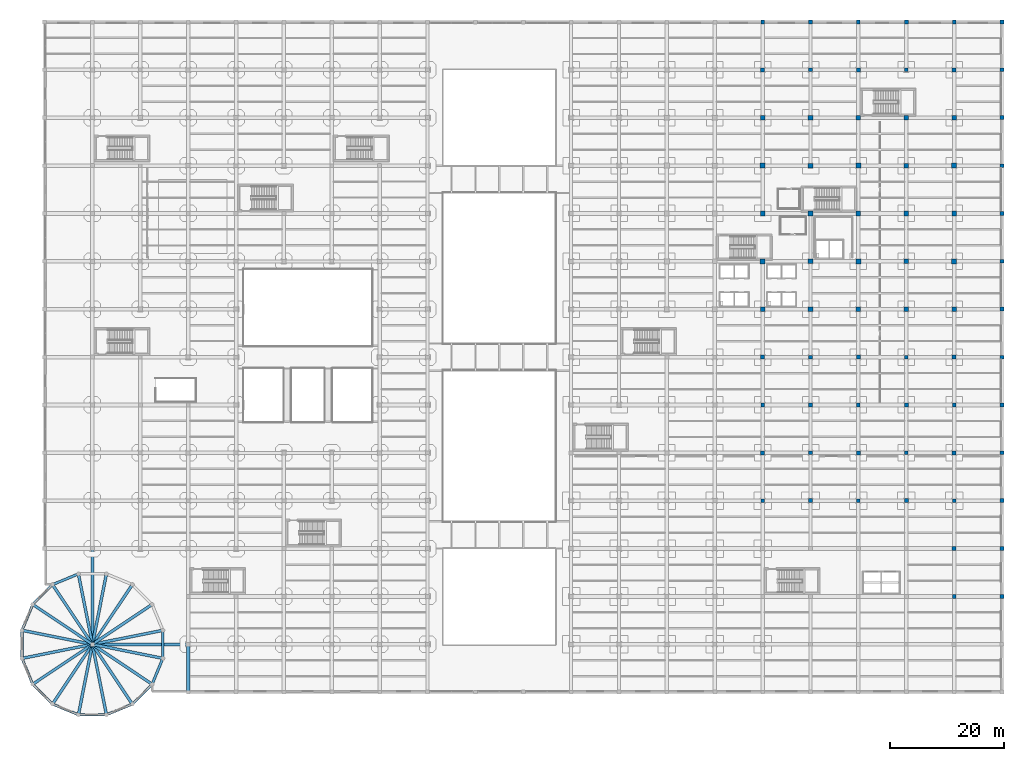
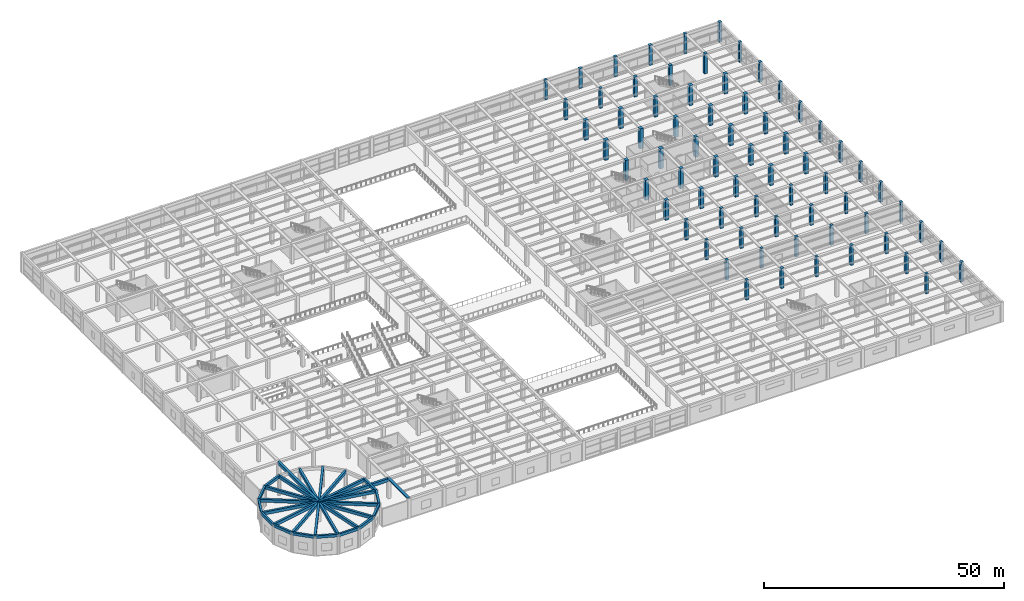
# One storey, part 2 of 65: 70 columns, 31 beams.
"""IFC4 building model written with IfcOpenShell, lengths in metres."""

from ifc_helpers import new_model, si_unit, direction, frame, origin, origin_2d, place, context, subcontext, project, spatial, rectangle, extrude, material, material_profile, profile_set, type_object, element, save


model = new_model("IFC4")

# Units and contexts
model_context = context("Model", 3, precision=1e-05, world=origin(), true_north=direction((0.0, 1.0)))
body_context = subcontext(model_context, "Body", "Model", "MODEL_VIEW")
ifc_project = project(units=[si_unit("LENGTHUNIT", "METRE"), si_unit("AREAUNIT", "SQUARE_METRE"), si_unit("VOLUMEUNIT", "CUBIC_METRE"), si_unit("PLANEANGLEUNIT", "RADIAN"), si_unit("MASSUNIT", "GRAM", prefix="KILO")], contexts=[model_context])

# Site, building, storey
site_placement = place(None, origin())
site = spatial("IfcSite", under=ifc_project, at=site_placement, CompositionType="ELEMENT")
building_placement = place(site_placement, origin())
building = spatial("IfcBuilding", under=site, at=building_placement, Name="Almacenes y Pasaje Nevantli", CompositionType="ELEMENT")
storey_placement = place(building_placement, frame((0.0, 0.0, 16.800048828125)))
storey = spatial("IfcBuildingStorey", under=building, at=storey_placement, Name="L04", CompositionType="ELEMENT", Elevation=16.800048828125)

# Columns
ifc_material_1 = material(Name="Concrete C45/55", Category="concrete")
ifc_material_profile_1 = material_profile(ifc_material_1, rectangle(XDim=0.64990234375, YDim=0.64990234375, at=origin_2d()), Name="RC-COL-650x650")
ifc_profile_set_1 = profile_set([ifc_material_profile_1], Name="Concrete C45/55")
column_type_1 = type_object("IfcColumnType", Name="COL-RC-650", PredefinedType="COLUMN", material=ifc_profile_set_1)
for number, where, z_axis, x_axis, name in (
    (1, (126.0, 33.60009765625, 0.0), (0.0, 0.0, 1.0), (1.0, 0.0, 0.0), "L04 Reinforced Concrete Column CL-07 #1760"),
    (2, (126.0, 50.39990234375, 0.0), (0.0, 0.0, 1.0), (1.0, 0.0, 0.0), "L04 Reinforced Concrete Column CL-07 #1762"),
    (3, (126.0, 117.60009765625, 0.0), (0.0, 0.0, 1.0), (1.0, 0.0, 0.0), "L04 Reinforced Concrete Column CL-07 #1770"),
    (4, (134.39990234375, 42.0, 0.0), (0.0, 0.0, 1.0), (1.0, 0.0, 0.0), "L04 Reinforced Concrete Column CL-07 #1776"),
    (5, (134.39990234375, 58.800048828125, 0.0), (0.0, 0.0, 1.0), (1.0, 0.0, 0.0), "L04 Reinforced Concrete Column CL-07 #1778"),
    (6, (134.39990234375, 109.199951171875, 0.0), (0.0, 0.0, 1.0), (1.0, 0.0, 0.0), "L04 Reinforced Concrete Column CL-07 #1784"),
    (7, (142.800048828125, 33.60009765625, 0.0), (0.0, 0.0, 1.0), (1.0, 0.0, 0.0), "L04 Reinforced Concrete Column CL-07 #1790"),
    (8, (142.800048828125, 50.39990234375, 0.0), (0.0, 0.0, 1.0), (1.0, 0.0, 0.0), "L04 Reinforced Concrete Column CL-07 #1792"),
    (9, (142.800048828125, 117.60009765625, 0.0), (0.0, 0.0, 1.0), (1.0, 0.0, 0.0), "L04 Reinforced Concrete Column CL-07 #1800"),
    (10, (151.199951171875, 42.0, 0.0), (0.0, 0.0, 1.0), (1.0, 0.0, 0.0), "L04 Reinforced Concrete Column CL-07 #1806"),
    (11, (151.199951171875, 58.800048828125, 0.0), (0.0, 0.0, 1.0), (1.0, 0.0, 0.0), "L04 Reinforced Concrete Column CL-07 #1808"),
    (12, (151.199951171875, 109.199951171875, 0.0), (0.0, 0.0, 1.0), (1.0, 0.0, 0.0), "L04 Reinforced Concrete Column CL-07 #1814"),
    (13, (159.60009765625, 16.800048828125, 0.0), (0.0, 0.0, 1.0), (1.0, 0.0, 0.0), "L04 Reinforced Concrete Column CL-07 #1818"),
    (14, (159.60009765625, 33.60009765625, 0.0), (0.0, 0.0, 1.0), (1.0, 0.0, 0.0), "L04 Reinforced Concrete Column CL-07 #1820"),
    (15, (159.60009765625, 50.39990234375, 0.0), (0.0, 0.0, 1.0), (1.0, 0.0, 0.0), "L04 Reinforced Concrete Column CL-07 #1822"),
    (16, (159.60009765625, 117.60009765625, 0.0), (0.0, 0.0, 1.0), (1.0, 0.0, 0.0), "L04 Reinforced Concrete Column CL-07 #1830"),
    (17, (168.0, 25.199951171875, 0.0), (0.0, 0.0, 1.0), (1.0, 0.0, 0.0), "L04 Reinforced Concrete Column CL-07 #1834"),
    (18, (168.0, 42.0, 0.0), (0.0, 0.0, 1.0), (1.0, 0.0, 0.0), "L04 Reinforced Concrete Column CL-07 #1836"),
    (19, (168.0, 58.800048828125, 0.0), (0.0, 0.0, 1.0), (1.0, 0.0, 0.0), "L04 Reinforced Concrete Column CL-07 #1838"),
    (20, (168.0, 75.60009765625, 0.0), (0.0, 0.0, 1.0), (1.0, 0.0, 0.0), "L04 Reinforced Concrete Column CL-07 #1840"),
    (21, (168.0, 92.39990234375, 0.0), (0.0, 0.0, 1.0), (1.0, 0.0, 0.0), "L04 Reinforced Concrete Column CL-07 #1842"),
    (22, (168.0, 109.199951171875, 0.0), (0.0, 0.0, 1.0), (1.0, 0.0, 0.0), "L04 Reinforced Concrete Column CL-07 #1844"),
):
    element("IfcColumn", number, at=place(storey_placement, frame(where, z_axis=z_axis, x_axis=x_axis)), inside=storey, type_object=column_type_1, Name=name, PredefinedType="COLUMN", context=body_context, shape_type="SweptSolid", body=[
        extrude(rectangle(XDim=0.64990234375, YDim=0.64990234375, at=origin_2d()), origin(), (0.0, 0.0, 1.0), 5.099853515625),
    ])
ifc_material_2 = material(Name="Concrete C45/55", Category="concrete")
ifc_material_profile_2 = material_profile(ifc_material_2, rectangle(XDim=0.699951171875, YDim=0.699951171875, at=origin_2d()), Name="RC-COL-700x700")
ifc_profile_set_2 = profile_set([ifc_material_profile_2], Name="Concrete C45/55")
column_type_2 = type_object("IfcColumnType", Name="COL-RC-700", PredefinedType="COLUMN", material=ifc_profile_set_2)
for number, where, z_axis, x_axis, name in (
    (23, (126.0, 42.0, 0.0), (0.0, 0.0, 1.0), (1.0, 0.0, 0.0), "L04 Reinforced Concrete Column CL-06 #1761"),
    (24, (126.0, 58.800048828125, 0.0), (0.0, 0.0, 1.0), (1.0, 0.0, 0.0), "L04 Reinforced Concrete Column CL-06 #1763"),
    (25, (126.0, 109.199951171875, 0.0), (0.0, 0.0, 1.0), (1.0, 0.0, 0.0), "L04 Reinforced Concrete Column CL-06 #1769"),
    (26, (134.39990234375, 33.60009765625, 0.0), (0.0, 0.0, 1.0), (1.0, 0.0, 0.0), "L04 Reinforced Concrete Column CL-06 #1775"),
    (27, (134.39990234375, 50.39990234375, 0.0), (0.0, 0.0, 1.0), (1.0, 0.0, 0.0), "L04 Reinforced Concrete Column CL-06 #1777"),
    (28, (134.39990234375, 117.60009765625, 0.0), (0.0, 0.0, 1.0), (1.0, 0.0, 0.0), "L04 Reinforced Concrete Column CL-06 #1785"),
    (29, (142.800048828125, 42.0, 0.0), (0.0, 0.0, 1.0), (1.0, 0.0, 0.0), "L04 Reinforced Concrete Column CL-06 #1791"),
    (30, (142.800048828125, 58.800048828125, 0.0), (0.0, 0.0, 1.0), (1.0, 0.0, 0.0), "L04 Reinforced Concrete Column CL-06 #1793"),
    (31, (142.800048828125, 109.199951171875, 0.0), (0.0, 0.0, 1.0), (1.0, 0.0, 0.0), "L04 Reinforced Concrete Column CL-06 #1799"),
    (32, (151.199951171875, 33.60009765625, 0.0), (0.0, 0.0, 1.0), (1.0, 0.0, 0.0), "L04 Reinforced Concrete Column CL-06 #1805"),
    (33, (151.199951171875, 50.39990234375, 0.0), (0.0, 0.0, 1.0), (1.0, 0.0, 0.0), "L04 Reinforced Concrete Column CL-06 #1807"),
    (34, (151.199951171875, 117.60009765625, 0.0), (0.0, 0.0, 1.0), (1.0, 0.0, 0.0), "L04 Reinforced Concrete Column CL-06 #1815"),
    (35, (159.60009765625, 25.199951171875, 0.0), (0.0, 0.0, 1.0), (1.0, 0.0, 0.0), "L04 Reinforced Concrete Column CL-06 #1819"),
    (36, (159.60009765625, 42.0, 0.0), (0.0, 0.0, 1.0), (1.0, 0.0, 0.0), "L04 Reinforced Concrete Column CL-06 #1821"),
    (37, (159.60009765625, 58.800048828125, 0.0), (0.0, 0.0, 1.0), (1.0, 0.0, 0.0), "L04 Reinforced Concrete Column CL-06 #1823"),
    (38, (159.60009765625, 109.199951171875, 0.0), (0.0, 0.0, 1.0), (1.0, 0.0, 0.0), "L04 Reinforced Concrete Column CL-06 #1829"),
    (39, (168.0, 16.800048828125, 0.0), (0.0, 0.0, 1.0), (1.0, 0.0, 0.0), "L04 Reinforced Concrete Column CL-06 #1833"),
    (40, (168.0, 33.60009765625, 0.0), (0.0, 0.0, 1.0), (1.0, 0.0, 0.0), "L04 Reinforced Concrete Column CL-06 #1835"),
    (41, (168.0, 50.39990234375, 0.0), (0.0, 0.0, 1.0), (1.0, 0.0, 0.0), "L04 Reinforced Concrete Column CL-06 #1837"),
    (42, (168.0, 67.199951171875, 0.0), (0.0, 0.0, 1.0), (1.0, 0.0, 0.0), "L04 Reinforced Concrete Column CL-06 #1839"),
    (43, (168.0, 84.0, 0.0), (0.0, 0.0, 1.0), (1.0, 0.0, 0.0), "L04 Reinforced Concrete Column CL-06 #1841"),
    (44, (168.0, 100.800048828125, 0.0), (0.0, 0.0, 1.0), (1.0, 0.0, 0.0), "L04 Reinforced Concrete Column CL-06 #1843"),
    (45, (168.0, 117.60009765625, 0.0), (0.0, 0.0, 1.0), (1.0, 0.0, 0.0), "L04 Reinforced Concrete Column CL-06 #1845"),
):
    element("IfcColumn", number, at=place(storey_placement, frame(where, z_axis=z_axis, x_axis=x_axis)), inside=storey, type_object=column_type_2, Name=name, PredefinedType="COLUMN", context=body_context, shape_type="SweptSolid", body=[
        extrude(rectangle(XDim=0.699951171875, YDim=0.699951171875, at=origin_2d()), origin(), (0.0, 0.0, 1.0), 5.099853515625),
    ])
ifc_material_3 = material(Name="Concrete C45/55", Category="concrete")
ifc_material_profile_3 = material_profile(ifc_material_3, rectangle(XDim=0.800048828125, YDim=0.800048828125, at=origin_2d()), Name="RC-COL-800x800")
ifc_profile_set_3 = profile_set([ifc_material_profile_3], Name="Concrete C45/55")
column_type_3 = type_object("IfcColumnType", Name="COL-RC-800", PredefinedType="COLUMN", material=ifc_profile_set_3)
for number, where, z_axis, x_axis, name in (
    (46, (126.0, 67.199951171875, 0.0), (0.0, 0.0, 1.0), (1.0, 0.0, 0.0), "L04 Reinforced Concrete Column CL-04 #1764"),
    (47, (126.0, 84.0, 0.0), (0.0, 0.0, 1.0), (1.0, 0.0, 0.0), "L04 Reinforced Concrete Column CL-04 #1766"),
    (48, (126.0, 100.800048828125, 0.0), (0.0, 0.0, 1.0), (1.0, 0.0, 0.0), "L04 Reinforced Concrete Column CL-04 #1768"),
    (49, (134.39990234375, 75.60009765625, 0.0), (0.0, 0.0, 1.0), (1.0, 0.0, 0.0), "L04 Reinforced Concrete Column CL-04 #1780"),
    (50, (134.39990234375, 92.39990234375, 0.0), (0.0, 0.0, 1.0), (1.0, 0.0, 0.0), "L04 Reinforced Concrete Column CL-04 #1782"),
    (51, (142.800048828125, 67.199951171875, 0.0), (0.0, 0.0, 1.0), (1.0, 0.0, 0.0), "L04 Reinforced Concrete Column CL-04 #1794"),
    (52, (142.800048828125, 84.0, 0.0), (0.0, 0.0, 1.0), (1.0, 0.0, 0.0), "L04 Reinforced Concrete Column CL-04 #1796"),
    (53, (142.800048828125, 100.800048828125, 0.0), (0.0, 0.0, 1.0), (1.0, 0.0, 0.0), "L04 Reinforced Concrete Column CL-04 #1798"),
    (54, (151.199951171875, 75.60009765625, 0.0), (0.0, 0.0, 1.0), (1.0, 0.0, 0.0), "L04 Reinforced Concrete Column CL-04 #1810"),
    (55, (151.199951171875, 92.39990234375, 0.0), (0.0, 0.0, 1.0), (1.0, 0.0, 0.0), "L04 Reinforced Concrete Column CL-04 #1812"),
    (56, (159.60009765625, 67.199951171875, 0.0), (0.0, 0.0, 1.0), (1.0, 0.0, 0.0), "L04 Reinforced Concrete Column CL-04 #1824"),
    (57, (159.60009765625, 84.0, 0.0), (0.0, 0.0, 1.0), (1.0, 0.0, 0.0), "L04 Reinforced Concrete Column CL-04 #1826"),
    (58, (159.60009765625, 100.800048828125, 0.0), (0.0, 0.0, 1.0), (1.0, 0.0, 0.0), "L04 Reinforced Concrete Column CL-04 #1828"),
):
    element("IfcColumn", number, at=place(storey_placement, frame(where, z_axis=z_axis, x_axis=x_axis)), inside=storey, type_object=column_type_3, Name=name, PredefinedType="COLUMN", context=body_context, shape_type="SweptSolid", body=[
        extrude(rectangle(XDim=0.800048828125, YDim=0.800048828125, at=origin_2d()), origin(), (0.0, 0.0, 1.0), 5.099853515625),
    ])
ifc_material_4 = material(Name="Concrete C45/55", Category="concrete")
ifc_material_profile_4 = material_profile(ifc_material_4, rectangle(XDim=0.85009765625, YDim=0.85009765625, at=origin_2d()), Name="RC-COL-850x850")
ifc_profile_set_4 = profile_set([ifc_material_profile_4], Name="Concrete C45/55")
column_type_4 = type_object("IfcColumnType", Name="COL-RC-850", PredefinedType="COLUMN", material=ifc_profile_set_4)
for number, where, z_axis, x_axis, name in (
    (59, (126.0, 75.60009765625, 0.0), (0.0, 0.0, 1.0), (1.0, 0.0, 0.0), "L04 Reinforced Concrete Column CL-03 #1765"),
    (60, (126.0, 92.39990234375, 0.0), (0.0, 0.0, 1.0), (1.0, 0.0, 0.0), "L04 Reinforced Concrete Column CL-03 #1767"),
    (61, (134.39990234375, 67.199951171875, 0.0), (0.0, 0.0, 1.0), (1.0, 0.0, 0.0), "L04 Reinforced Concrete Column CL-03 #1779"),
    (62, (134.39990234375, 84.0, 0.0), (0.0, 0.0, 1.0), (1.0, 0.0, 0.0), "L04 Reinforced Concrete Column CL-03 #1781"),
    (63, (134.39990234375, 100.800048828125, 0.0), (0.0, 0.0, 1.0), (1.0, 0.0, 0.0), "L04 Reinforced Concrete Column CL-03 #1783"),
    (64, (142.800048828125, 75.60009765625, 0.0), (0.0, 0.0, 1.0), (1.0, 0.0, 0.0), "L04 Reinforced Concrete Column CL-03 #1795"),
    (65, (142.800048828125, 92.39990234375, 0.0), (0.0, 0.0, 1.0), (1.0, 0.0, 0.0), "L04 Reinforced Concrete Column CL-03 #1797"),
    (66, (151.199951171875, 67.199951171875, 0.0), (0.0, 0.0, 1.0), (1.0, 0.0, 0.0), "L04 Reinforced Concrete Column CL-03 #1809"),
    (67, (151.199951171875, 84.0, 0.0), (0.0, 0.0, 1.0), (1.0, 0.0, 0.0), "L04 Reinforced Concrete Column CL-03 #1811"),
    (68, (151.199951171875, 100.800048828125, 0.0), (0.0, 0.0, 1.0), (1.0, 0.0, 0.0), "L04 Reinforced Concrete Column CL-03 #1813"),
    (69, (159.60009765625, 75.60009765625, 0.0), (0.0, 0.0, 1.0), (1.0, 0.0, 0.0), "L04 Reinforced Concrete Column CL-03 #1825"),
    (70, (159.60009765625, 92.39990234375, 0.0), (0.0, 0.0, 1.0), (1.0, 0.0, 0.0), "L04 Reinforced Concrete Column CL-03 #1827"),
):
    element("IfcColumn", number, at=place(storey_placement, frame(where, z_axis=z_axis, x_axis=x_axis)), inside=storey, type_object=column_type_4, Name=name, PredefinedType="COLUMN", context=body_context, shape_type="SweptSolid", body=[
        extrude(rectangle(XDim=0.85009765625, YDim=0.85009765625, at=origin_2d()), origin(), (0.0, 0.0, 1.0), 5.099853515625),
    ])

# Beams
ifc_material_5 = material(Name="Concrete C35/45", Category="concrete")
ifc_material_profile_5 = material_profile(ifc_material_5, rectangle(XDim=0.449951171875, YDim=0.699951171875, at=origin_2d()), Name="RC-BM-450x700")
ifc_profile_set_5 = profile_set([ifc_material_profile_5], Name="Concrete C35/45")
beam_type_1 = type_object("IfcBeamType", Name="BM-RC-450x700", PredefinedType="SPANDREL", material=ifc_profile_set_5)
for number, where, z_axis, x_axis, name in (
    (71, (5.94189453125, 20.7578125, 4.75), (-0.923880043688, -0.382682198272, 0.0), (0.382682198272, -0.923880043688, 0.0), "L04 Rotunda Ring Spandrel Beam #5"),
    (72, (1.39990234375, 18.87646484375, 4.75), (-0.707106781187, -0.707106781187, 0.0), (0.707106781187, -0.707106781187, 0.0), "L04 Rotunda Ring Spandrel Beam #6"),
    (73, (-2.076416015625, 15.400146484375, 4.75), (-0.38272458482, -0.923862485532, 0.0), (0.923862485532, -0.38272458482, 0.0), "L04 Rotunda Ring Spandrel Beam #7"),
    (74, (-3.9580078125, 10.858154296875, 4.75), (0.0, -1.0, 0.0), (1.0, 0.0, 0.0), "L04 Rotunda Ring Spandrel Beam #8"),
    (75, (-3.9580078125, 5.94189453125, 4.75), (0.38272458482, -0.923862485532, 0.0), (0.923862485532, 0.38272458482, 0.0), "L04 Rotunda Ring Spandrel Beam #9"),
    (76, (-2.076416015625, 1.39990234375, 4.75), (0.707106781187, -0.707106781187, 0.0), (0.707106781187, 0.707106781187, 0.0), "L04 Rotunda Ring Spandrel Beam #10"),
    (77, (1.39990234375, -2.076416015625, 4.75), (0.923862485532, -0.38272458482, 0.0), (0.38272458482, 0.923862485532, 0.0), "L04 Rotunda Ring Spandrel Beam #11"),
    (78, (5.94189453125, -3.9580078125, 4.75), (1.0, 0.0, 0.0), (0.0, 1.0, 0.0), "L04 Rotunda Ring Spandrel Beam #12"),
    (79, (10.858154296875, -3.9580078125, 4.75), (0.923862485532, 0.38272458482, 0.0), (-0.38272458482, 0.923862485532, 0.0), "L04 Rotunda Ring Spandrel Beam #13"),
    (80, (15.400146484375, -2.076416015625, 4.75), (0.707106781187, 0.707106781187, 0.0), (-0.707106781187, 0.707106781187, 0.0), "L04 Rotunda Ring Spandrel Beam #14"),
    (81, (18.87646484375, 1.39990234375, 4.75), (0.382682198272, 0.923880043688, 0.0), (-0.923880043688, 0.382682198272, 0.0), "L04 Rotunda Ring Spandrel Beam #15"),
    (82, (20.7578125, 5.94189453125, 4.75), (0.0, 1.0, 0.0), (-1.0, 0.0, 0.0), "L04 Rotunda Ring Spandrel Beam #16"),
):
    element("IfcBeam", number, at=place(storey_placement, frame(where, z_axis=z_axis, x_axis=x_axis)), inside=storey, type_object=beam_type_1, Name=name, PredefinedType="SPANDREL", context=body_context, shape_type="SweptSolid", body=[
        extrude(rectangle(XDim=0.449951171875, YDim=0.699951171875, at=origin_2d()), origin(), (0.0, 0.0, 1.0), 4.916259765625),
    ])
ifc_material_6 = material(Name="Concrete C35/45", Category="concrete")
ifc_material_profile_6 = material_profile(ifc_material_6, rectangle(XDim=0.5, YDim=0.75, at=origin_2d()), Name="RC-BM-500x750")
ifc_profile_set_6 = profile_set([ifc_material_profile_6], Name="Concrete C35/45")
beam_type_2 = type_object("IfcBeamType", Name="BM-RC-500x750", PredefinedType="BEAM", material=ifc_profile_set_6)
for number, where, z_axis, x_axis, name in (
    (83, (8.39990234375, 8.39990234375, 4.724853515625), (0.980783597961, 0.195098780036, 0.0), (-0.195098780036, 0.980783597961, 0.0), "L04 Rotunda Radial Girder #1"),
    (84, (8.39990234375, 8.39990234375, 4.724853515625), (0.831468553537, 0.55557181757, 0.0), (-0.55557181757, 0.831468553537, 0.0), "L04 Rotunda Radial Girder #2"),
    (85, (8.39990234375, 8.39990234375, 4.724853515625), (0.55557181757, 0.831468553537, 0.0), (-0.831468553537, 0.55557181757, 0.0), "L04 Rotunda Radial Girder #3"),
    (86, (8.39990234375, 8.39990234375, 4.724853515625), (0.195098780036, 0.980783597961, 0.0), (-0.980783597961, 0.195098780036, 0.0), "L04 Rotunda Radial Girder #4"),
    (87, (8.39990234375, 8.39990234375, 4.724853515625), (-0.195080141274, 0.980787305424, 0.0), (-0.980787305424, -0.195080141274, 0.0), "L04 Rotunda Radial Girder #5"),
):
    element("IfcBeam", number, at=place(storey_placement, frame(where, z_axis=z_axis, x_axis=x_axis)), inside=storey, type_object=beam_type_2, Name=name, PredefinedType="BEAM", context=body_context, shape_type="SweptSolid", body=[
        extrude(rectangle(XDim=0.5, YDim=0.75, at=origin_2d()), origin(), (0.0, 0.0, 1.0), 12.60009765625),
    ])
for number, where, z_axis, x_axis, name in (
    (88, (8.39990234375, 8.39990234375, 4.724853515625), (-0.55555842186, 0.831477504146, 0.0), (-0.831477504146, -0.55555842186, 0.0), "L04 Rotunda Radial Girder #6"),
    (89, (8.39990234375, 8.39990234375, 4.724853515625), (-0.831462572755, 0.555580768302, 0.0), (-0.555580768302, -0.831462572755, 0.0), "L04 Rotunda Radial Girder #7"),
):
    element("IfcBeam", number, at=place(storey_placement, frame(where, z_axis=z_axis, x_axis=x_axis)), inside=storey, type_object=beam_type_2, Name=name, PredefinedType="BEAM", context=body_context, shape_type="SweptSolid", body=[
        extrude(rectangle(XDim=0.5, YDim=0.75, at=origin_2d()), origin(), (0.0, 0.0, 1.0), 12.599853515625),
    ])
for number, where, z_axis, x_axis, name in (
    (90, (8.39990234375, 8.39990234375, 4.724853515625), (-0.980783597961, 0.195098780036, 0.0), (-0.195098780036, -0.980783597961, 0.0), "L04 Rotunda Radial Girder #8"),
    (91, (8.39990234375, 8.39990234375, 4.724853515625), (-0.980787305424, -0.195080141274, 0.0), (0.195080141274, -0.980787305424, 0.0), "L04 Rotunda Radial Girder #9"),
):
    element("IfcBeam", number, at=place(storey_placement, frame(where, z_axis=z_axis, x_axis=x_axis)), inside=storey, type_object=beam_type_2, Name=name, PredefinedType="BEAM", context=body_context, shape_type="SweptSolid", body=[
        extrude(rectangle(XDim=0.5, YDim=0.75, at=origin_2d()), origin(), (0.0, 0.0, 1.0), 12.60009765625),
    ])
for number, where, z_axis, x_axis, name in (
    (92, (8.39990234375, 8.39990234375, 4.724853515625), (-0.831471523588, -0.555567372569, 0.0), (0.555567372569, -0.831471523588, 0.0), "L04 Rotunda Radial Girder #10"),
    (93, (8.39990234375, 8.39990234375, 4.724853515625), (-0.555567372569, -0.831471523588, 0.0), (0.831471523588, -0.555567372569, 0.0), "L04 Rotunda Radial Girder #11"),
):
    element("IfcBeam", number, at=place(storey_placement, frame(where, z_axis=z_axis, x_axis=x_axis)), inside=storey, type_object=beam_type_2, Name=name, PredefinedType="BEAM", context=body_context, shape_type="SweptSolid", body=[
        extrude(rectangle(XDim=0.5, YDim=0.75, at=origin_2d()), origin(), (0.0, 0.0, 1.0), 12.599853515625),
    ])
for number, where, z_axis, x_axis, name in (
    (94, (8.39990234375, 8.39990234375, 4.724853515625), (-0.195080141274, -0.980787305424, 0.0), (0.980787305424, -0.195080141274, 0.0), "L04 Rotunda Radial Girder #12"),
    (95, (8.39990234375, 8.39990234375, 4.724853515625), (0.195098780036, -0.980783597961, 0.0), (0.980783597961, 0.195098780036, 0.0), "L04 Rotunda Radial Girder #13"),
):
    element("IfcBeam", number, at=place(storey_placement, frame(where, z_axis=z_axis, x_axis=x_axis)), inside=storey, type_object=beam_type_2, Name=name, PredefinedType="BEAM", context=body_context, shape_type="SweptSolid", body=[
        extrude(rectangle(XDim=0.5, YDim=0.75, at=origin_2d()), origin(), (0.0, 0.0, 1.0), 12.60009765625),
    ])
for number, where, z_axis, x_axis, name in (
    (96, (8.39990234375, 8.39990234375, 4.724853515625), (0.555580768302, -0.831462572755, 0.0), (0.831462572755, 0.555580768302, 0.0), "L04 Rotunda Radial Girder #14"),
    (97, (8.39990234375, 8.39990234375, 4.724853515625), (0.831477504146, -0.55555842186, 0.0), (0.55555842186, 0.831477504146, 0.0), "L04 Rotunda Radial Girder #15"),
):
    element("IfcBeam", number, at=place(storey_placement, frame(where, z_axis=z_axis, x_axis=x_axis)), inside=storey, type_object=beam_type_2, Name=name, PredefinedType="BEAM", context=body_context, shape_type="SweptSolid", body=[
        extrude(rectangle(XDim=0.5, YDim=0.75, at=origin_2d()), origin(), (0.0, 0.0, 1.0), 12.599853515625),
    ])
beam_1_placement = place(storey_placement, frame((8.39990234375, 8.39990234375, 4.724853515625), z_axis=(0.980787305424, -0.195080141274, 0.0), x_axis=(0.195080141274, 0.980787305424, 0.0)))
element("IfcBeam", 98, at=beam_1_placement, inside=storey, type_object=beam_type_2, Name="L04 Rotunda Radial Girder #16", PredefinedType="BEAM", context=body_context, shape_type="SweptSolid", body=[
    extrude(rectangle(XDim=0.5, YDim=0.75, at=origin_2d()), origin(), (0.0, 0.0, 1.0), 12.60009765625),
])
ifc_material_7 = material(Name="Concrete C35/45", Category="concrete")
ifc_material_profile_7 = material_profile(ifc_material_7, rectangle(XDim=0.550048828125, YDim=0.800048828125, at=origin_2d()), Name="RC-BM-550x800")
ifc_profile_set_7 = profile_set([ifc_material_profile_7], Name="Concrete C35/45")
beam_type_3 = type_object("IfcBeamType", Name="BM-RC-550x800", PredefinedType="BEAM", material=ifc_profile_set_7)
for number, where, z_axis, x_axis, name in (
    (99, (8.39990234375, 8.39990234375, 4.699951171875), (1.0, 0.0, 0.0), (0.0, 1.0, 0.0), "L04 Rotunda-to-Grid Collector Girder #3261"),
    (100, (8.39990234375, 8.39990234375, 4.699951171875), (0.0, 1.0, 0.0), (-1.0, 0.0, 0.0), "L04 Rotunda-to-Grid Collector Girder #3262"),
):
    element("IfcBeam", number, at=place(storey_placement, frame(where, z_axis=z_axis, x_axis=x_axis)), inside=storey, type_object=beam_type_3, Name=name, PredefinedType="BEAM", context=body_context, shape_type="SweptSolid", body=[
        extrude(rectangle(XDim=0.550048828125, YDim=0.800048828125, at=origin_2d()), origin(), (0.0, 0.0, 1.0), 16.800048828125),
    ])
ifc_material_8 = material(Name="Concrete C35/45", Category="concrete")
ifc_material_profile_8 = material_profile(ifc_material_8, rectangle(XDim=0.60009765625, YDim=0.320068359375, at=origin_2d()), Name="RC-BM-600x320")
ifc_profile_set_8 = profile_set([ifc_material_profile_8], Name="Concrete C35/45")
beam_type_4 = type_object("IfcBeamType", Name="BM-RC-600x320", PredefinedType="BEAM", material=ifc_profile_set_8)
beam_2_placement = place(storey_placement, frame((25.199951171875, 0.0, 4.93994140625), z_axis=(0.0, 1.0, 0.0), x_axis=(-1.0, 0.0, 0.0)))
element("IfcBeam", 101, at=beam_2_placement, inside=storey, type_object=beam_type_4, Name="L04 North-South Reinforced Concrete Beam #3024", PredefinedType="BEAM", context=body_context, shape_type="SweptSolid", body=[
    extrude(rectangle(XDim=0.60009765625, YDim=0.320068359375, at=origin_2d()), origin(), (0.0, 0.0, 1.0), 8.39990234375),
])

save(model, "model.ifc")
